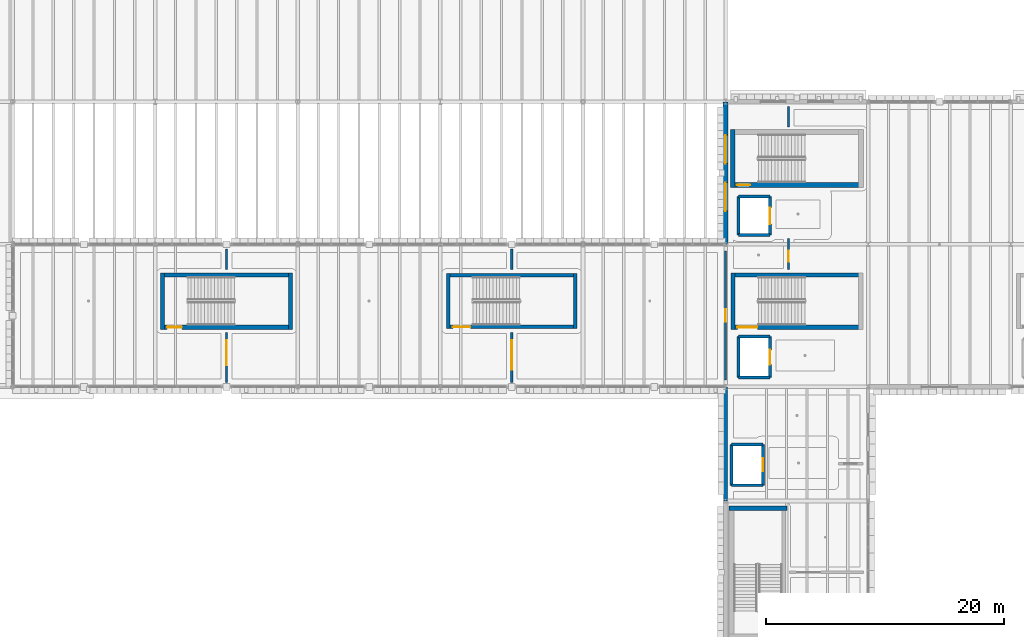
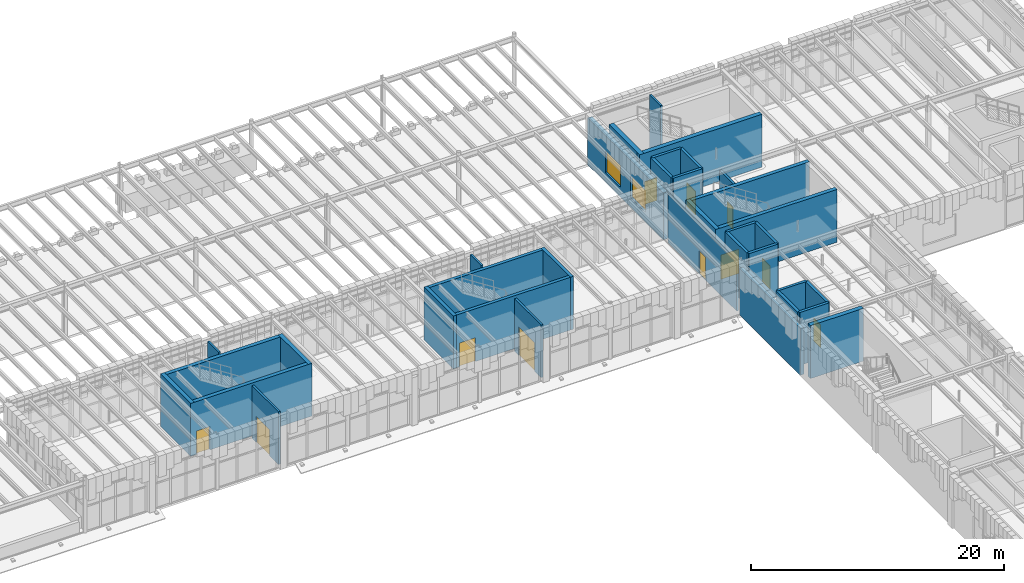
# One storey, part 59 of 100: 35 walls, 11 doors, 2 windows, 13 openings.
"""IFC4 building model written with IfcOpenShell, lengths in metres."""

from ifc_helpers import new_model, si_unit, direction, frame, frame_2d, origin, place, context, subcontext, project, spatial, rectangle, extrude, material, layer, layer_set, type_object, element, fill, save


model = new_model("IFC4")

# Units and contexts
model_context = context("Model", 3, precision=1e-05, world=origin(), true_north=direction((0.0, 1.0)))
body_context = subcontext(model_context, "Body", "Model", "MODEL_VIEW")
ifc_project = project(units=[si_unit("LENGTHUNIT", "METRE"), si_unit("AREAUNIT", "SQUARE_METRE"), si_unit("VOLUMEUNIT", "CUBIC_METRE"), si_unit("PLANEANGLEUNIT", "RADIAN"), si_unit("MASSUNIT", "GRAM", prefix="KILO")], contexts=[model_context])

# Site, building, storey
site_placement = place(None, origin())
site = spatial("IfcSite", under=ifc_project, at=site_placement, CompositionType="ELEMENT")
building_placement = place(site_placement, origin())
building = spatial("IfcBuilding", under=site, at=building_placement, Name="Zlatogorsky Bluff Art Gallery", CompositionType="ELEMENT")
storey_placement = place(building_placement, frame((0.0, 0.0, 5.39990234375)))
storey = spatial("IfcBuildingStorey", under=building, at=storey_placement, Name="L01", CompositionType="ELEMENT", Elevation=5.39990234375)

# Wall, openings, windows
ifc_material_1 = material(Name="Precast concrete C40/50", Category="concrete")
ifc_layer_1 = layer(ifc_material_1, 0.39990234375)
ifc_layer_set_1 = layer_set([ifc_layer_1], Name="Exterior Wall EW-02 400mm")
wall_type_1 = type_object("IfcWallType", Name="Exterior Wall EW-02 400mm", PredefinedType="SOLIDWALL", material=ifc_layer_set_1)
wall_1_placement = place(storey_placement, frame((120.0, 108.0, 0.0), z_axis=(0.0, 0.0, 1.0), x_axis=(0.0, -1.0, 0.0)))
wall_1 = element("IfcWall", 1, at=wall_1_placement, inside=storey, type_object=wall_type_1, Name="Exterior wall EW-02 L01 W 10.9", PredefinedType="SOLIDWALL", context=body_context, shape_type="SweptSolid", body=[
    extrude(rectangle(XDim=12.0, YDim=0.39990234375, at=frame_2d((6.0, 0.0))), origin(), (0.0, 0.0, 1.0), 4.530029296875),
])
opening_1_placement = place(wall_1_placement, frame((2.800048828125, 0.0, 0.949951171875)))
opening_1 = element("IfcOpeningElement", 2, at=opening_1_placement, cuts=wall_1, Name="Opening WN-33", PredefinedType="OPENING", context=body_context, shape_type="SweptSolid", body=[
    extrude(rectangle(XDim=2.39990234375, YDim=2.10009765625, at=frame_2d((1.199951171875, 1.050048828125))), frame((0.0, 0.2099609375, 0.0), z_axis=(0.0, -1.0, 0.0), x_axis=(1.0, 0.0, 0.0)), (0.0, 0.0, 1.0), 0.419921875),
])
opening_2_placement = place(wall_1_placement, frame((6.800048828125, 0.0, 0.949951171875)))
opening_2 = element("IfcOpeningElement", 3, at=opening_2_placement, cuts=wall_1, Name="Opening WN-33", PredefinedType="OPENING", context=body_context, shape_type="SweptSolid", body=[
    extrude(rectangle(XDim=2.39990234375, YDim=2.10009765625, at=frame_2d((1.199951171875, 1.050048828125))), frame((0.0, 0.2099609375, 0.0), z_axis=(0.0, -1.0, 0.0), x_axis=(1.0, 0.0, 0.0)), (0.0, 0.0, 1.0), 0.419921875),
])
ifc_material_2 = material(Name="Bronze-Anodised Aluminium Triple Glazing", Category="aluminium")
window_type = type_object("IfcWindowType", Name="Pointed-Reveal Window WN-33 2400x2100", PartitioningType="SINGLE_PANEL", PredefinedType="WINDOW", material=ifc_material_2)
window_1_placement = place(opening_1_placement, origin())
window_1 = element("IfcWindow", 4, at=window_1_placement, inside=storey, type_object=window_type, Name="Window WN-33 L01.W.10.9.1", OverallHeight=2.10009765625, OverallWidth=2.39990234375, PartitioningType="SINGLE_PANEL", PredefinedType="WINDOW", context=body_context, shape_type="SweptSolid", body=[
    extrude(rectangle(XDim=2.39990234375, YDim=2.10009765625, at=frame_2d((1.199951171875, 1.050048828125))), frame((0.0, 0.030029296875, 0.0), z_axis=(0.0, -1.0, 0.0), x_axis=(1.0, 0.0, 0.0)), (0.0, 0.0, 1.0), 0.06005859375),
])
fill(opening_1, window_1)
window_2_placement = place(opening_2_placement, origin())
window_2 = element("IfcWindow", 5, at=window_2_placement, inside=storey, type_object=window_type, Name="Window WN-33 L01.W.10.9.2", OverallHeight=2.10009765625, OverallWidth=2.39990234375, PartitioningType="SINGLE_PANEL", PredefinedType="WINDOW", context=body_context, shape_type="SweptSolid", body=[
    extrude(rectangle(XDim=2.39990234375, YDim=2.10009765625, at=frame_2d((1.199951171875, 1.050048828125))), frame((0.0, 0.030029296875, 0.0), z_axis=(0.0, -1.0, 0.0), x_axis=(1.0, 0.0, 0.0)), (0.0, 0.0, 1.0), 0.06005859375),
])
fill(opening_2, window_2)

# Wall
ifc_layer_2 = layer(ifc_material_1, 0.320068359375)
ifc_layer_set_2 = layer_set([ifc_layer_2], Name="Exterior Wall EW-04 320mm")
wall_type_2 = type_object("IfcWallType", Name="Exterior Wall EW-04 320mm", PredefinedType="SOLIDWALL", material=ifc_layer_set_2)
wall_2_placement = place(storey_placement, frame((120.0, 84.0, 0.0), z_axis=(0.0, 0.0, 1.0), x_axis=(0.0, -1.0, 0.0)))
element("IfcWall", 6, at=wall_2_placement, inside=storey, type_object=wall_type_2, Name="Exterior wall EW-04 L01 W 10.7", PredefinedType="SOLIDWALL", context=body_context, shape_type="SweptSolid", body=[
    extrude(rectangle(XDim=9.60009765625, YDim=0.320068359375, at=frame_2d((4.800048828125, 0.0))), origin(), (0.0, 0.0, 1.0), 4.530029296875),
])

# Wall, opening, door
ifc_material_3 = material(Name="Concrete C30/37", Category="concrete")
ifc_layer_3 = layer(ifc_material_3, 0.179931640625)
ifc_layer_set_3 = layer_set([ifc_layer_3], Name="Interior Wall IW-02 180mm")
wall_type_3 = type_object("IfcWallType", Name="Interior Wall IW-02 180mm", PredefinedType="PARTITIONING", material=ifc_layer_set_3)
wall_3_placement = place(storey_placement, frame((78.0, 84.3798828125, 0.0), z_axis=(0.0, 0.0, 1.0), x_axis=(0.0, 1.0, 0.0)))
wall_3 = element("IfcWall", 7, at=wall_3_placement, inside=storey, type_object=wall_type_3, Name="Partition IW-02 between L01-G2-11 and L01-G2-12-S1", PredefinedType="PARTITIONING", context=body_context, shape_type="SweptSolid", body=[
    extrude(rectangle(XDim=4.2001953125, YDim=0.179931640625, at=frame_2d((2.10009765625, 0.0))), origin(), (0.0, 0.0, 1.0), 5.090087890625),
])
opening_3_placement = place(wall_3_placement, frame((1.449951171875, 0.0, 0.0)))
opening_3 = element("IfcOpeningElement", 8, at=opening_3_placement, cuts=wall_3, Name="Opening ID-13", PredefinedType="OPENING", context=body_context, shape_type="SweptSolid", body=[
    extrude(rectangle(XDim=2.10009765625, YDim=2.5, at=frame_2d((1.050048828125, 1.25))), frame((0.0, 0.099853515625, 0.0), z_axis=(0.0, -1.0, 0.0), x_axis=(1.0, 0.0, 0.0)), (0.0, 0.0, 1.0), 0.199951171875),
])
ifc_material_4 = material(Name="Anodised Aluminium and Laminated Timber", Category="wood")
door_type_1 = type_object("IfcDoorType", Name="Interior Door ID-13 2100x2500", OperationType="DOUBLE_DOOR_SINGLE_SWING", PredefinedType="DOOR", material=ifc_material_4)
door_1_placement = place(opening_3_placement, origin())
door_1 = element("IfcDoor", 9, at=door_1_placement, inside=storey, type_object=door_type_1, Name="Door ID-13 L01-G2-11-L01-G2-12-S1", OperationType="DOUBLE_DOOR_SINGLE_SWING", OverallHeight=2.5, OverallWidth=2.10009765625, PredefinedType="DOOR", context=body_context, shape_type="SweptSolid", body=[
    extrude(rectangle(XDim=2.10009765625, YDim=2.5, at=frame_2d((1.050048828125, 1.25))), frame((0.0, 0.02490234375, 0.0), z_axis=(0.0, -1.0, 0.0), x_axis=(1.0, 0.0, 0.0)), (0.0, 0.0, 1.0), 0.050048828125),
])
fill(opening_3, door_1)

# Wall
wall_4_placement = place(storey_placement, frame((78.0, 93.8701171875, 0.0), z_axis=(0.0, 0.0, 1.0), x_axis=(0.0, 1.0, 0.0)))
element("IfcWall", 10, at=wall_4_placement, inside=storey, type_object=wall_type_3, Name="Partition IW-02 between L01-G2-11 and L01-G2-12-S2", PredefinedType="PARTITIONING", context=body_context, shape_type="SweptSolid", body=[
    extrude(rectangle(XDim=1.75, YDim=0.179931640625, at=frame_2d((0.875, 0.0))), origin(), (0.0, 0.0, 1.0), 5.090087890625),
])

# Wall, opening, door
wall_5_placement = place(storey_placement, frame((102.0, 84.3798828125, 0.0), z_axis=(0.0, 0.0, 1.0), x_axis=(0.0, 1.0, 0.0)))
wall_5 = element("IfcWall", 11, at=wall_5_placement, inside=storey, type_object=wall_type_3, Name="Partition IW-02 between L01-G2-12 and L01-G2-13-S1", PredefinedType="PARTITIONING", context=body_context, shape_type="SweptSolid", body=[
    extrude(rectangle(XDim=4.2001953125, YDim=0.179931640625, at=frame_2d((2.10009765625, 0.0))), origin(), (0.0, 0.0, 1.0), 5.090087890625),
])
opening_4_placement = place(wall_5_placement, frame((1.050048828125, 0.0, 0.0)))
opening_4 = element("IfcOpeningElement", 12, at=opening_4_placement, cuts=wall_5, Name="Opening ID-15", PredefinedType="OPENING", context=body_context, shape_type="SweptSolid", body=[
    extrude(rectangle(XDim=2.5, YDim=2.75, at=frame_2d((1.25, 1.375))), frame((0.0, 0.099853515625, 0.0), z_axis=(0.0, -1.0, 0.0), x_axis=(1.0, 0.0, 0.0)), (0.0, 0.0, 1.0), 0.199951171875),
])
door_type_2 = type_object("IfcDoorType", Name="Interior Door ID-15 2500x2750", OperationType="DOUBLE_DOOR_SINGLE_SWING", PredefinedType="DOOR", material=ifc_material_4)
door_2_placement = place(opening_4_placement, origin())
door_2 = element("IfcDoor", 13, at=door_2_placement, inside=storey, type_object=door_type_2, Name="Door ID-15 L01-G2-12-L01-G2-13-S1", OperationType="DOUBLE_DOOR_SINGLE_SWING", OverallHeight=2.75, OverallWidth=2.5, PredefinedType="DOOR", context=body_context, shape_type="SweptSolid", body=[
    extrude(rectangle(XDim=2.5, YDim=2.75, at=frame_2d((1.25, 1.375))), frame((0.0, 0.02490234375, 0.0), z_axis=(0.0, -1.0, 0.0), x_axis=(1.0, 0.0, 0.0)), (0.0, 0.0, 1.0), 0.050048828125),
])
fill(opening_4, door_2)

# Wall
wall_6_placement = place(storey_placement, frame((102.0, 93.8701171875, 0.0), z_axis=(0.0, 0.0, 1.0), x_axis=(0.0, 1.0, 0.0)))
element("IfcWall", 14, at=wall_6_placement, inside=storey, type_object=wall_type_3, Name="Partition IW-02 between L01-G2-12 and L01-G2-13-S2", PredefinedType="PARTITIONING", context=body_context, shape_type="SweptSolid", body=[
    extrude(rectangle(XDim=1.75, YDim=0.179931640625, at=frame_2d((0.875, 0.0))), origin(), (0.0, 0.0, 1.0), 5.090087890625),
])

# Wall, opening, door
wall_7_placement = place(storey_placement, frame((120.0, 84.594482421875, 0.0), z_axis=(0.0, 0.0, 1.0), x_axis=(0.0, 1.0, 0.0)))
wall_7 = element("IfcWall", 15, at=wall_7_placement, inside=storey, type_object=wall_type_3, Name="Partition IW-02 between L01-G2-13 and L01-ST-11", PredefinedType="PARTITIONING", context=body_context, shape_type="SweptSolid", body=[
    extrude(rectangle(XDim=10.84814453125, YDim=0.179931640625, at=frame_2d((5.424072265625, 0.0))), origin(), (0.0, 0.0, 1.0), 4.7001953125),
])
opening_5_placement = place(wall_7_placement, frame((4.89892578125, 0.0, 0.0)))
opening_5 = element("IfcOpeningElement", 16, at=opening_5_placement, cuts=wall_7, Name="Opening ID-04", PredefinedType="OPENING", context=body_context, shape_type="SweptSolid", body=[
    extrude(rectangle(XDim=1.050048828125, YDim=2.199951171875, at=frame_2d((0.52490234375, 1.10009765625))), frame((0.0, 0.099853515625, 0.0), z_axis=(0.0, -1.0, 0.0), x_axis=(1.0, 0.0, 0.0)), (0.0, 0.0, 1.0), 0.199951171875),
])
door_type_3 = type_object("IfcDoorType", Name="Interior Door ID-04 1050x2200", OperationType="SINGLE_SWING_LEFT", PredefinedType="DOOR", material=ifc_material_4)
door_3_placement = place(opening_5_placement, origin())
door_3 = element("IfcDoor", 17, at=door_3_placement, inside=storey, type_object=door_type_3, Name="Door ID-04 L01-G2-13-L01-ST-11", OperationType="SINGLE_SWING_LEFT", OverallHeight=2.199951171875, OverallWidth=1.050048828125, PredefinedType="DOOR", context=body_context, shape_type="SweptSolid", body=[
    extrude(rectangle(XDim=1.050048828125, YDim=2.199951171875, at=frame_2d((0.52490234375, 1.10009765625))), frame((0.0, 0.02490234375, 0.0), z_axis=(0.0, -1.0, 0.0), x_axis=(1.0, 0.0, 0.0)), (0.0, 0.0, 1.0), 0.050048828125),
])
fill(opening_5, door_3)

wall_8_placement = place(storey_placement, frame((125.304931640625, 93.8701171875, 0.0), z_axis=(0.0, 0.0, 1.0), x_axis=(0.0, 1.0, 0.0)))
wall_8 = element("IfcWall", 18, at=wall_8_placement, inside=storey, type_object=wall_type_3, Name="Partition IW-02 between L01-ST-11 and L01-ST-12-S1", PredefinedType="PARTITIONING", context=body_context, shape_type="SweptSolid", body=[
    extrude(rectangle(XDim=2.60986328125, YDim=0.179931640625, at=frame_2d((1.304931640625, 0.0))), origin(), (0.0, 0.0, 1.0), 4.550048828125),
])
opening_6_placement = place(wall_8_placement, frame((0.64990234375, 0.0, 0.0)))
opening_6 = element("IfcOpeningElement", 19, at=opening_6_placement, cuts=wall_8, Name="Opening ID-01", PredefinedType="OPENING", context=body_context, shape_type="SweptSolid", body=[
    extrude(rectangle(XDim=0.919921875, YDim=2.14990234375, at=frame_2d((0.4599609375, 1.074951171875))), frame((0.0, 0.099853515625, 0.0), z_axis=(0.0, -1.0, 0.0), x_axis=(1.0, 0.0, 0.0)), (0.0, 0.0, 1.0), 0.199951171875),
])
door_type_4 = type_object("IfcDoorType", Name="Interior Door ID-01 920x2150", OperationType="SINGLE_SWING_LEFT", PredefinedType="DOOR", material=ifc_material_4)
door_4_placement = place(opening_6_placement, origin())
door_4 = element("IfcDoor", 20, at=door_4_placement, inside=storey, type_object=door_type_4, Name="Door ID-01 L01-ST-11-L01-ST-12-S1", OperationType="SINGLE_SWING_RIGHT", OverallHeight=2.14990234375, OverallWidth=0.919921875, PredefinedType="DOOR", context=body_context, shape_type="SweptSolid", body=[
    extrude(rectangle(XDim=0.919921875, YDim=2.14990234375, at=frame_2d((0.4599609375, 1.074951171875))), frame((0.0, 0.02490234375, 0.0), z_axis=(0.0, -1.0, 0.0), x_axis=(1.0, 0.0, 0.0)), (0.0, 0.0, 1.0), 0.050048828125),
])
fill(opening_6, door_4)

# Walls
wall_9_placement = place(storey_placement, frame((125.304931640625, 105.8701171875, 0.0), z_axis=(0.0, 0.0, 1.0), x_axis=(0.0, 1.0, 0.0)))
element("IfcWall", 21, at=wall_9_placement, inside=storey, type_object=wall_type_3, Name="Partition IW-02 between L01-ST-11 and L01-ST-12-S2", PredefinedType="PARTITIONING", context=body_context, shape_type="SweptSolid", body=[
    extrude(rectangle(XDim=1.75, YDim=0.179931640625, at=frame_2d((0.875, 0.0))), origin(), (0.0, 0.0, 1.0), 5.090087890625),
])
ifc_material_5 = material(Name="Concrete C35/45", Category="concrete")
ifc_layer_4 = layer(ifc_material_5, 0.25)
ifc_layer_set_4 = layer_set([ifc_layer_4], Name="Interior Wall IW-05 250mm")
wall_type_4 = type_object("IfcWallType", Name="Interior Wall IW-05 250mm", PredefinedType="SOLIDWALL", material=ifc_layer_set_4)
wall_10_placement = place(storey_placement, frame((120.4951171875, 75.72509765625, 0.0), z_axis=(0.0, 0.0, 1.0), x_axis=(1.0, 0.0, 0.0)))
element("IfcWall", 22, at=wall_10_placement, inside=storey, type_object=wall_type_4, Name="Lift FL-1 shaft wall L01 S", PredefinedType="SOLIDWALL", context=body_context, shape_type="SweptSolid", body=[
    extrude(rectangle(XDim=2.64990234375, YDim=0.25, at=frame_2d((1.324951171875, 0.0))), origin(), (0.0, 0.0, 1.0), 5.110107421875),
])

# Wall, opening, door
wall_11_placement = place(storey_placement, frame((123.14501953125, 75.72509765625, 0.0), z_axis=(0.0, 0.0, 1.0), x_axis=(0.0, 1.0, 0.0)))
wall_11 = element("IfcWall", 23, at=wall_11_placement, inside=storey, type_object=wall_type_4, Name="Lift FL-1 shaft wall L01 E", PredefinedType="SOLIDWALL", context=body_context, shape_type="SweptSolid", body=[
    extrude(rectangle(XDim=3.449951171875, YDim=0.25, at=frame_2d((1.72509765625, 0.0))), origin(), (0.0, 0.0, 1.0), 5.110107421875),
])
opening_7_placement = place(wall_11_placement, frame((1.175048828125, 0.0, 0.0)))
opening_7 = element("IfcOpeningElement", 24, at=opening_7_placement, cuts=wall_11, Name="Opening LD-01", PredefinedType="OPENING", context=body_context, shape_type="SweptSolid", body=[
    extrude(rectangle(XDim=1.10009765625, YDim=2.199951171875, at=frame_2d((0.550048828125, 1.10009765625))), frame((0.0, 0.135009765625, 0.0), z_axis=(0.0, -1.0, 0.0), x_axis=(1.0, 0.0, 0.0)), (0.0, 0.0, 1.0), 0.27001953125),
])
door_type_5 = type_object("IfcDoorType", Name="Interior Door LD-01 1100x2200", OperationType="SLIDING_TO_LEFT", PredefinedType="DOOR", material=ifc_material_4)
door_5_placement = place(opening_7_placement, origin())
door_5 = element("IfcDoor", 25, at=door_5_placement, inside=storey, type_object=door_type_5, Name="Lift FL-1 sliding landing door L01", OperationType="SLIDING_TO_LEFT", OverallHeight=2.199951171875, OverallWidth=1.10009765625, PredefinedType="DOOR", context=body_context, shape_type="SweptSolid", body=[
    extrude(rectangle(XDim=1.10009765625, YDim=2.199951171875, at=frame_2d((0.550048828125, 1.10009765625))), frame((0.0, 0.02490234375, 0.0), z_axis=(0.0, -1.0, 0.0), x_axis=(1.0, 0.0, 0.0)), (0.0, 0.0, 1.0), 0.050048828125),
])
fill(opening_7, door_5)

# Walls
wall_12_placement = place(storey_placement, frame((123.14501953125, 79.175048828125, 0.0), z_axis=(0.0, 0.0, 1.0), x_axis=(-1.0, 0.0, 0.0)))
element("IfcWall", 26, at=wall_12_placement, inside=storey, type_object=wall_type_4, Name="Lift FL-1 shaft wall L01 N", PredefinedType="SOLIDWALL", context=body_context, shape_type="SweptSolid", body=[
    extrude(rectangle(XDim=2.64990234375, YDim=0.25, at=frame_2d((1.324951171875, 0.0))), origin(), (0.0, 0.0, 1.0), 5.110107421875),
])
wall_13_placement = place(storey_placement, frame((120.4951171875, 79.175048828125, 0.0), z_axis=(0.0, 0.0, 1.0), x_axis=(0.0, -1.0, 0.0)))
element("IfcWall", 27, at=wall_13_placement, inside=storey, type_object=wall_type_4, Name="Lift FL-1 shaft wall L01 W", PredefinedType="SOLIDWALL", context=body_context, shape_type="SweptSolid", body=[
    extrude(rectangle(XDim=3.449951171875, YDim=0.25, at=frame_2d((1.72509765625, 0.0))), origin(), (0.0, 0.0, 1.0), 5.110107421875),
])
wall_14_placement = place(storey_placement, frame((121.074951171875, 84.77490234375, 0.0), z_axis=(0.0, 0.0, 1.0), x_axis=(1.0, 0.0, 0.0)))
element("IfcWall", 28, at=wall_14_placement, inside=storey, type_object=wall_type_4, Name="Lift FL-2 shaft wall L01 S", PredefinedType="SOLIDWALL", context=body_context, shape_type="SweptSolid", body=[
    extrude(rectangle(XDim=2.650146484375, YDim=0.25, at=frame_2d((1.3251953125, 0.0))), origin(), (0.0, 0.0, 1.0), 5.110107421875),
])

# Wall, opening, door
wall_15_placement = place(storey_placement, frame((123.72509765625, 84.77490234375, 0.0), z_axis=(0.0, 0.0, 1.0), x_axis=(0.0, 1.0, 0.0)))
wall_15 = element("IfcWall", 29, at=wall_15_placement, inside=storey, type_object=wall_type_4, Name="Lift FL-2 shaft wall L01 E", PredefinedType="SOLIDWALL", context=body_context, shape_type="SweptSolid", body=[
    extrude(rectangle(XDim=3.4501953125, YDim=0.25, at=frame_2d((1.72509765625, 0.0))), origin(), (0.0, 0.0, 1.0), 5.110107421875),
])
opening_8_placement = place(wall_15_placement, frame((1.10009765625, 0.0, 0.0)))
opening_8 = element("IfcOpeningElement", 30, at=opening_8_placement, cuts=wall_15, Name="Opening LD-02", PredefinedType="OPENING", context=body_context, shape_type="SweptSolid", body=[
    extrude(rectangle(XDim=1.25, YDim=2.25, at=frame_2d((0.625, 1.125))), frame((0.0, 0.135009765625, 0.0), z_axis=(0.0, -1.0, 0.0), x_axis=(1.0, 0.0, 0.0)), (0.0, 0.0, 1.0), 0.27001953125),
])
door_type_6 = type_object("IfcDoorType", Name="Interior Door LD-02 1250x2250", OperationType="SLIDING_TO_LEFT", PredefinedType="DOOR", material=ifc_material_4)
door_6_placement = place(opening_8_placement, origin())
door_6 = element("IfcDoor", 31, at=door_6_placement, inside=storey, type_object=door_type_6, Name="Lift FL-2 sliding landing door L01", OperationType="SLIDING_TO_LEFT", OverallHeight=2.25, OverallWidth=1.25, PredefinedType="DOOR", context=body_context, shape_type="SweptSolid", body=[
    extrude(rectangle(XDim=1.25, YDim=2.25, at=frame_2d((0.625, 1.125))), frame((0.0, 0.02490234375, 0.0), z_axis=(0.0, -1.0, 0.0), x_axis=(1.0, 0.0, 0.0)), (0.0, 0.0, 1.0), 0.050048828125),
])
fill(opening_8, door_6)

# Walls
wall_16_placement = place(storey_placement, frame((123.72509765625, 88.22509765625, 0.0), z_axis=(0.0, 0.0, 1.0), x_axis=(-1.0, 0.0, 0.0)))
element("IfcWall", 32, at=wall_16_placement, inside=storey, type_object=wall_type_4, Name="Lift FL-2 shaft wall L01 N", PredefinedType="SOLIDWALL", context=body_context, shape_type="SweptSolid", body=[
    extrude(rectangle(XDim=2.650146484375, YDim=0.25, at=frame_2d((1.3251953125, 0.0))), origin(), (0.0, 0.0, 1.0), 5.110107421875),
])
wall_17_placement = place(storey_placement, frame((121.074951171875, 88.22509765625, 0.0), z_axis=(0.0, 0.0, 1.0), x_axis=(0.0, -1.0, 0.0)))
element("IfcWall", 33, at=wall_17_placement, inside=storey, type_object=wall_type_4, Name="Lift FL-2 shaft wall L01 W", PredefinedType="SOLIDWALL", context=body_context, shape_type="SweptSolid", body=[
    extrude(rectangle(XDim=3.4501953125, YDim=0.25, at=frame_2d((1.72509765625, 0.0))), origin(), (0.0, 0.0, 1.0), 5.110107421875),
])
wall_18_placement = place(storey_placement, frame((121.074951171875, 96.77490234375, 0.0), z_axis=(0.0, 0.0, 1.0), x_axis=(1.0, 0.0, 0.0)))
element("IfcWall", 34, at=wall_18_placement, inside=storey, type_object=wall_type_4, Name="Lift PL-1 shaft wall L01 S", PredefinedType="SOLIDWALL", context=body_context, shape_type="SweptSolid", body=[
    extrude(rectangle(XDim=2.650146484375, YDim=0.25, at=frame_2d((1.3251953125, 0.0))), origin(), (0.0, 0.0, 1.0), 5.110107421875),
])

# Wall, opening, door
wall_19_placement = place(storey_placement, frame((123.72509765625, 96.77490234375, 0.0), z_axis=(0.0, 0.0, 1.0), x_axis=(0.0, 1.0, 0.0)))
wall_19 = element("IfcWall", 35, at=wall_19_placement, inside=storey, type_object=wall_type_4, Name="Lift PL-1 shaft wall L01 E", PredefinedType="SOLIDWALL", context=body_context, shape_type="SweptSolid", body=[
    extrude(rectangle(XDim=3.25, YDim=0.25, at=frame_2d((1.625, 0.0))), origin(), (0.0, 0.0, 1.0), 5.110107421875),
])
opening_9_placement = place(wall_19_placement, frame((0.925048828125, 0.0, 0.0)))
opening_9 = element("IfcOpeningElement", 36, at=opening_9_placement, cuts=wall_19, Name="Opening LD-03", PredefinedType="OPENING", context=body_context, shape_type="SweptSolid", body=[
    extrude(rectangle(XDim=1.39990234375, YDim=2.300048828125, at=frame_2d((0.699951171875, 1.14990234375))), frame((0.0, 0.135009765625, 0.0), z_axis=(0.0, -1.0, 0.0), x_axis=(1.0, 0.0, 0.0)), (0.0, 0.0, 1.0), 0.27001953125),
])
door_type_7 = type_object("IfcDoorType", Name="Interior Door LD-03 1400x2300", OperationType="SLIDING_TO_LEFT", PredefinedType="DOOR", material=ifc_material_4)
door_7_placement = place(opening_9_placement, origin())
door_7 = element("IfcDoor", 37, at=door_7_placement, inside=storey, type_object=door_type_7, Name="Lift PL-1 sliding landing door L01", OperationType="SLIDING_TO_LEFT", OverallHeight=2.300048828125, OverallWidth=1.39990234375, PredefinedType="DOOR", context=body_context, shape_type="SweptSolid", body=[
    extrude(rectangle(XDim=1.39990234375, YDim=2.300048828125, at=frame_2d((0.699951171875, 1.14990234375))), frame((0.0, 0.02490234375, 0.0), z_axis=(0.0, -1.0, 0.0), x_axis=(1.0, 0.0, 0.0)), (0.0, 0.0, 1.0), 0.050048828125),
])
fill(opening_9, door_7)

# Walls
wall_20_placement = place(storey_placement, frame((123.72509765625, 100.02490234375, 0.0), z_axis=(0.0, 0.0, 1.0), x_axis=(-1.0, 0.0, 0.0)))
element("IfcWall", 38, at=wall_20_placement, inside=storey, type_object=wall_type_4, Name="Lift PL-1 shaft wall L01 N", PredefinedType="SOLIDWALL", context=body_context, shape_type="SweptSolid", body=[
    extrude(rectangle(XDim=2.650146484375, YDim=0.25, at=frame_2d((1.3251953125, 0.0))), origin(), (0.0, 0.0, 1.0), 5.110107421875),
])
wall_21_placement = place(storey_placement, frame((121.074951171875, 100.02490234375, 0.0), z_axis=(0.0, 0.0, 1.0), x_axis=(0.0, -1.0, 0.0)))
element("IfcWall", 39, at=wall_21_placement, inside=storey, type_object=wall_type_4, Name="Lift PL-1 shaft wall L01 W", PredefinedType="SOLIDWALL", context=body_context, shape_type="SweptSolid", body=[
    extrude(rectangle(XDim=3.25, YDim=0.25, at=frame_2d((1.625, 0.0))), origin(), (0.0, 0.0, 1.0), 5.110107421875),
])

# Wall, opening, door
ifc_layer_5 = layer(ifc_material_5, 0.300048828125)
ifc_layer_set_5 = layer_set([ifc_layer_5], Name="Interior Wall SW-01 300mm")
wall_type_5 = type_object("IfcWallType", Name="Interior Wall SW-01 300mm", PredefinedType="SHEAR", material=ifc_layer_set_5)
wall_22_placement = place(storey_placement, frame((96.5, 89.050048828125, 0.0), z_axis=(0.0, 0.0, 1.0), x_axis=(1.0, 0.0, 0.0)))
wall_22 = element("IfcWall", 40, at=wall_22_placement, inside=storey, type_object=wall_type_5, Name="Stair ST-01 enclosure wall L01 W0", PredefinedType="SHEAR", context=body_context, shape_type="SweptSolid", body=[
    extrude(rectangle(XDim=11.0, YDim=0.300048828125, at=frame_2d((5.5, 0.0))), origin(), (0.0, 0.0, 1.0), 5.110107421875),
])
opening_10_placement = place(wall_22_placement, frame((0.550048828125, 0.0, 0.0)))
opening_10 = element("IfcOpeningElement", 41, at=opening_10_placement, cuts=wall_22, Name="Opening FD-03", PredefinedType="OPENING", context=body_context, shape_type="SweptSolid", body=[
    extrude(rectangle(XDim=1.47998046875, YDim=2.300048828125, at=frame_2d((0.739990234375, 1.14990234375))), frame((0.0, 0.159912109375, 0.0), z_axis=(0.0, -1.0, 0.0), x_axis=(1.0, 0.0, 0.0)), (0.0, 0.0, 1.0), 0.320068359375),
])
door_type_8 = type_object("IfcDoorType", Name="Interior Door FD-03 1480x2300", OperationType="DOUBLE_DOOR_SINGLE_SWING", PredefinedType="DOOR", material=ifc_material_4)
door_8_placement = place(opening_10_placement, origin())
door_8 = element("IfcDoor", 42, at=door_8_placement, inside=storey, type_object=door_type_8, Name="Stair ST-01 fire door L01", OperationType="DOUBLE_DOOR_SINGLE_SWING", OverallHeight=2.300048828125, OverallWidth=1.47998046875, PredefinedType="DOOR", context=body_context, shape_type="SweptSolid", body=[
    extrude(rectangle(XDim=1.47998046875, YDim=2.300048828125, at=frame_2d((0.739990234375, 1.14990234375))), frame((0.0, 0.02490234375, 0.0), z_axis=(0.0, -1.0, 0.0), x_axis=(1.0, 0.0, 0.0)), (0.0, 0.0, 1.0), 0.050048828125),
])
fill(opening_10, door_8)

# Walls
wall_23_placement = place(storey_placement, frame((107.35009765625, 88.89990234375, 0.0), z_axis=(0.0, 0.0, 1.0), x_axis=(0.0, 1.0, 0.0)))
element("IfcWall", 43, at=wall_23_placement, inside=storey, type_object=wall_type_5, Name="Stair ST-01 enclosure wall L01 FEND", PredefinedType="SHEAR", context=body_context, shape_type="SweptSolid", body=[
    extrude(rectangle(XDim=4.650146484375, YDim=0.300048828125, at=frame_2d((2.3251953125, 0.0))), origin(), (0.0, 0.0, 1.0), 5.110107421875),
])
wall_24_placement = place(storey_placement, frame((107.5, 93.39990234375, 0.0), z_axis=(0.0, 0.0, 1.0), x_axis=(-1.0, 0.0, 0.0)))
element("IfcWall", 44, at=wall_24_placement, inside=storey, type_object=wall_type_5, Name="Stair ST-01 enclosure wall L01 W1", PredefinedType="SHEAR", context=body_context, shape_type="SweptSolid", body=[
    extrude(rectangle(XDim=11.0, YDim=0.300048828125, at=frame_2d((5.5, 0.0))), origin(), (0.0, 0.0, 1.0), 5.110107421875),
])
wall_25_placement = place(storey_placement, frame((96.64990234375, 93.550048828125, 0.0), z_axis=(0.0, 0.0, 1.0), x_axis=(0.0, -1.0, 0.0)))
element("IfcWall", 45, at=wall_25_placement, inside=storey, type_object=wall_type_5, Name="Stair ST-01 enclosure wall L01 LEND", PredefinedType="SHEAR", context=body_context, shape_type="SweptSolid", body=[
    extrude(rectangle(XDim=4.650146484375, YDim=0.300048828125, at=frame_2d((2.3251953125, 0.0))), origin(), (0.0, 0.0, 1.0), 5.110107421875),
])

# Wall, opening, door
ifc_layer_6 = layer(ifc_material_5, 0.35009765625)
ifc_layer_set_6 = layer_set([ifc_layer_6], Name="Interior Wall SW-02 350mm")
wall_type_6 = type_object("IfcWallType", Name="Interior Wall SW-02 350mm", PredefinedType="SHEAR", material=ifc_layer_set_6)
wall_26_placement = place(storey_placement, frame((120.449951171875, 89.02490234375, 0.0), z_axis=(0.0, 0.0, 1.0), x_axis=(1.0, 0.0, 0.0)))
wall_26 = element("IfcWall", 46, at=wall_26_placement, inside=storey, type_object=wall_type_6, Name="Stair ST-02 enclosure wall L01 W0", PredefinedType="SHEAR", context=body_context, shape_type="SweptSolid", body=[
    extrude(rectangle(XDim=11.10009765625, YDim=0.35009765625, at=frame_2d((5.550048828125, 0.0))), origin(), (0.0, 0.0, 1.0), 5.110107421875),
])
opening_11_placement = place(wall_26_placement, frame((0.550048828125, 0.0, 0.0)))
opening_11 = element("IfcOpeningElement", 47, at=opening_11_placement, cuts=wall_26, Name="Opening FD-04", PredefinedType="OPENING", context=body_context, shape_type="SweptSolid", body=[
    extrude(rectangle(XDim=1.679931640625, YDim=2.35009765625, at=frame_2d((0.83984375, 1.175048828125))), frame((0.0, 0.18505859375, 0.0), z_axis=(0.0, -1.0, 0.0), x_axis=(1.0, 0.0, 0.0)), (0.0, 0.0, 1.0), 0.3701171875),
])
door_type_9 = type_object("IfcDoorType", Name="Interior Door FD-04 1680x2350", OperationType="DOUBLE_DOOR_SINGLE_SWING", PredefinedType="DOOR", material=ifc_material_4)
door_9_placement = place(opening_11_placement, origin())
door_9 = element("IfcDoor", 48, at=door_9_placement, inside=storey, type_object=door_type_9, Name="Stair ST-02 fire door L01", OperationType="DOUBLE_DOOR_SINGLE_SWING", OverallHeight=2.35009765625, OverallWidth=1.679931640625, PredefinedType="DOOR", context=body_context, shape_type="SweptSolid", body=[
    extrude(rectangle(XDim=1.679931640625, YDim=2.35009765625, at=frame_2d((0.83984375, 1.175048828125))), frame((0.0, 0.02490234375, 0.0), z_axis=(0.0, -1.0, 0.0), x_axis=(1.0, 0.0, 0.0)), (0.0, 0.0, 1.0), 0.050048828125),
])
fill(opening_11, door_9)

# Walls
wall_27_placement = place(storey_placement, frame((131.550048828125, 93.425048828125, 0.0), z_axis=(0.0, 0.0, 1.0), x_axis=(-1.0, 0.0, 0.0)))
element("IfcWall", 49, at=wall_27_placement, inside=storey, type_object=wall_type_6, Name="Stair ST-02 enclosure wall L01 W1", PredefinedType="SHEAR", context=body_context, shape_type="SweptSolid", body=[
    extrude(rectangle(XDim=11.10009765625, YDim=0.35009765625, at=frame_2d((5.550048828125, 0.0))), origin(), (0.0, 0.0, 1.0), 5.110107421875),
])
wall_28_placement = place(storey_placement, frame((120.625, 93.60009765625, 0.0), z_axis=(0.0, 0.0, 1.0), x_axis=(0.0, -1.0, 0.0)))
element("IfcWall", 50, at=wall_28_placement, inside=storey, type_object=wall_type_6, Name="Stair ST-02 enclosure wall L01 LEND", PredefinedType="SHEAR", context=body_context, shape_type="SweptSolid", body=[
    extrude(rectangle(XDim=4.75, YDim=0.35009765625, at=frame_2d((2.375, 0.0))), origin(), (0.0, 0.0, 1.0), 5.110107421875),
])

# Wall, opening, door
wall_29_placement = place(storey_placement, frame((72.449951171875, 89.02490234375, 0.0), z_axis=(0.0, 0.0, 1.0), x_axis=(1.0, 0.0, 0.0)))
wall_29 = element("IfcWall", 51, at=wall_29_placement, inside=storey, type_object=wall_type_6, Name="Stair ST-08 enclosure wall L01 W0", PredefinedType="SHEAR", context=body_context, shape_type="SweptSolid", body=[
    extrude(rectangle(XDim=11.10009765625, YDim=0.35009765625, at=frame_2d((5.550048828125, 0.0))), origin(), (0.0, 0.0, 1.0), 5.110107421875),
])
opening_12_placement = place(wall_29_placement, frame((0.550048828125, 0.0, 0.0)))
opening_12 = element("IfcOpeningElement", 52, at=opening_12_placement, cuts=wall_29, Name="Opening FD-02", PredefinedType="OPENING", context=body_context, shape_type="SweptSolid", body=[
    extrude(rectangle(XDim=1.239990234375, YDim=2.25, at=frame_2d((0.6201171875, 1.125))), frame((0.0, 0.18505859375, 0.0), z_axis=(0.0, -1.0, 0.0), x_axis=(1.0, 0.0, 0.0)), (0.0, 0.0, 1.0), 0.3701171875),
])
door_type_10 = type_object("IfcDoorType", Name="Interior Door FD-02 1240x2250", OperationType="SINGLE_SWING_LEFT", PredefinedType="DOOR", material=ifc_material_4)
door_10_placement = place(opening_12_placement, origin())
door_10 = element("IfcDoor", 53, at=door_10_placement, inside=storey, type_object=door_type_10, Name="Stair ST-08 fire door L01", OperationType="SINGLE_SWING_LEFT", OverallHeight=2.25, OverallWidth=1.239990234375, PredefinedType="DOOR", context=body_context, shape_type="SweptSolid", body=[
    extrude(rectangle(XDim=1.239990234375, YDim=2.25, at=frame_2d((0.6201171875, 1.125))), frame((0.0, 0.02490234375, 0.0), z_axis=(0.0, -1.0, 0.0), x_axis=(1.0, 0.0, 0.0)), (0.0, 0.0, 1.0), 0.050048828125),
])
fill(opening_12, door_10)

# Walls
wall_30_placement = place(storey_placement, frame((83.375, 88.85009765625, 0.0), z_axis=(0.0, 0.0, 1.0), x_axis=(0.0, 1.0, 0.0)))
element("IfcWall", 54, at=wall_30_placement, inside=storey, type_object=wall_type_6, Name="Stair ST-08 enclosure wall L01 FEND", PredefinedType="SHEAR", context=body_context, shape_type="SweptSolid", body=[
    extrude(rectangle(XDim=4.75, YDim=0.35009765625, at=frame_2d((2.375, 0.0))), origin(), (0.0, 0.0, 1.0), 5.110107421875),
])
wall_31_placement = place(storey_placement, frame((83.550048828125, 93.425048828125, 0.0), z_axis=(0.0, 0.0, 1.0), x_axis=(-1.0, 0.0, 0.0)))
element("IfcWall", 55, at=wall_31_placement, inside=storey, type_object=wall_type_6, Name="Stair ST-08 enclosure wall L01 W1", PredefinedType="SHEAR", context=body_context, shape_type="SweptSolid", body=[
    extrude(rectangle(XDim=11.10009765625, YDim=0.35009765625, at=frame_2d((5.550048828125, 0.0))), origin(), (0.0, 0.0, 1.0), 5.110107421875),
])
wall_32_placement = place(storey_placement, frame((72.625, 93.60009765625, 0.0), z_axis=(0.0, 0.0, 1.0), x_axis=(0.0, -1.0, 0.0)))
element("IfcWall", 56, at=wall_32_placement, inside=storey, type_object=wall_type_6, Name="Stair ST-08 enclosure wall L01 LEND", PredefinedType="SHEAR", context=body_context, shape_type="SweptSolid", body=[
    extrude(rectangle(XDim=4.75, YDim=0.35009765625, at=frame_2d((2.375, 0.0))), origin(), (0.0, 0.0, 1.0), 5.110107421875),
])

# Wall, opening, door
ifc_layer_7 = layer(ifc_material_5, 0.39990234375)
ifc_layer_set_7 = layer_set([ifc_layer_7], Name="Interior Wall SW-03 400mm")
wall_type_7 = type_object("IfcWallType", Name="Interior Wall SW-03 400mm", PredefinedType="SHEAR", material=ifc_layer_set_7)
wall_33_placement = place(storey_placement, frame((120.39990234375, 101.0, 0.0), z_axis=(0.0, 0.0, 1.0), x_axis=(1.0, 0.0, 0.0)))
wall_33 = element("IfcWall", 57, at=wall_33_placement, inside=storey, type_object=wall_type_7, Name="Stair ST-03 enclosure wall L01 W0", PredefinedType="SHEAR", context=body_context, shape_type="SweptSolid", body=[
    extrude(rectangle(XDim=11.2001953125, YDim=0.39990234375, at=frame_2d((5.60009765625, 0.0))), origin(), (0.0, 0.0, 1.0), 5.110107421875),
])
opening_13_placement = place(wall_33_placement, frame((0.550048828125, 0.0, 0.0)))
opening_13 = element("IfcOpeningElement", 58, at=opening_13_placement, cuts=wall_33, Name="Opening FD-01", PredefinedType="OPENING", context=body_context, shape_type="SweptSolid", body=[
    extrude(rectangle(XDim=1.1201171875, YDim=2.199951171875, at=frame_2d((0.56005859375, 1.10009765625))), frame((0.0, 0.2099609375, 0.0), z_axis=(0.0, -1.0, 0.0), x_axis=(1.0, 0.0, 0.0)), (0.0, 0.0, 1.0), 0.419921875),
])
door_type_11 = type_object("IfcDoorType", Name="Interior Door FD-01 1120x2200", OperationType="SINGLE_SWING_LEFT", PredefinedType="DOOR", material=ifc_material_4)
door_11_placement = place(opening_13_placement, origin())
door_11 = element("IfcDoor", 59, at=door_11_placement, inside=storey, type_object=door_type_11, Name="Stair ST-03 fire door L01", OperationType="SINGLE_SWING_LEFT", OverallHeight=2.199951171875, OverallWidth=1.1201171875, PredefinedType="DOOR", context=body_context, shape_type="SweptSolid", body=[
    extrude(rectangle(XDim=1.1201171875, YDim=2.199951171875, at=frame_2d((0.56005859375, 1.10009765625))), frame((0.0, 0.02490234375, 0.0), z_axis=(0.0, -1.0, 0.0), x_axis=(1.0, 0.0, 0.0)), (0.0, 0.0, 1.0), 0.050048828125),
])
fill(opening_13, door_11)

# Walls
for number, where, z_axis, x_axis, name in (
    (60, (120.60009765625, 105.64990234375, 0.0), (0.0, 0.0, 1.0), (0.0, -1.0, 0.0), "Stair ST-03 enclosure wall L01 LEND"),
    (61, (125.14990234375, 73.800048828125, 0.0), (0.0, 0.0, 1.0), (-1.0, 0.0, 0.0), "Stair ST-06 enclosure wall L01 FEND"),
):
    element("IfcWall", number, at=place(storey_placement, frame(where, z_axis=z_axis, x_axis=x_axis)), inside=storey, type_object=wall_type_7, Name=name, PredefinedType="SHEAR", context=body_context, shape_type="SweptSolid", body=[
        extrude(rectangle(XDim=4.849853515625, YDim=0.39990234375, at=frame_2d((2.4248046875, 0.0))), origin(), (0.0, 0.0, 1.0), 5.110107421875),
    ])

save(model, "model.ifc")
